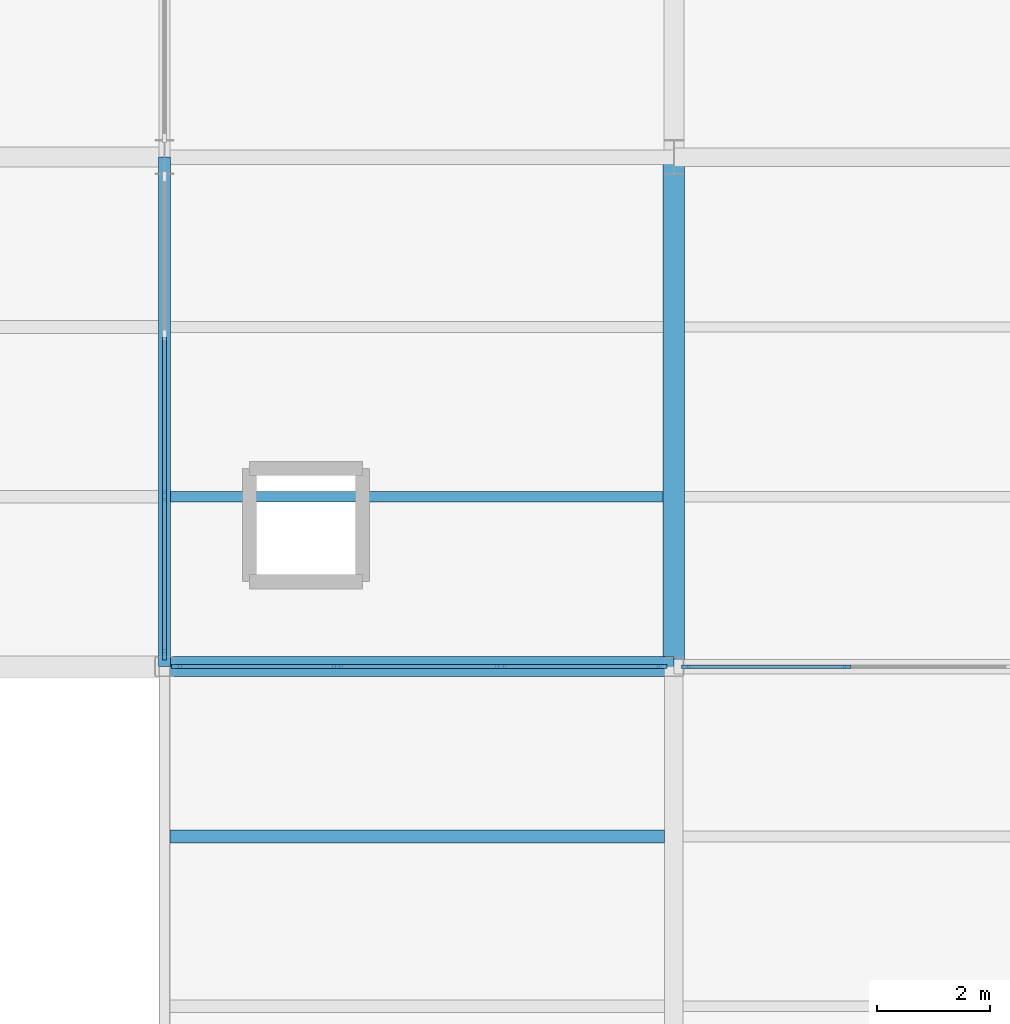
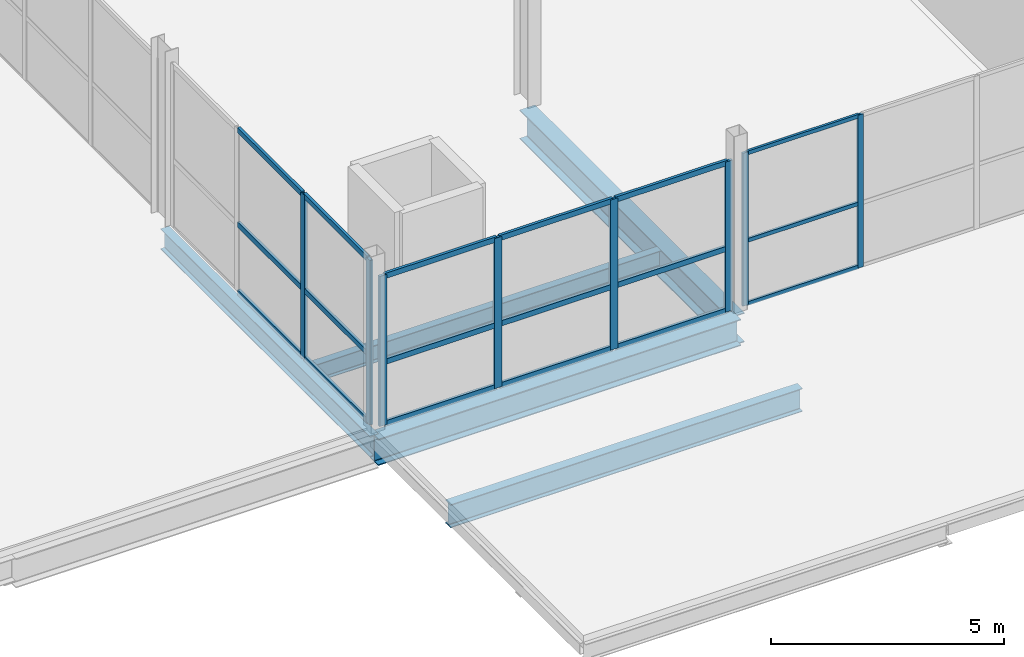
# One storey, part 14 of 69: 26 members, 5 beams, 3 elements without a shape of their own.
"""IFC4 building model written with IfcOpenShell, lengths in metres."""

from ifc_helpers import new_model, si_unit, direction, frame, origin, origin_2d, place, context, subcontext, project, spatial, rectangle, i_section, extrude, material, layer, layer_set, material_profile, profile_set, type_object, element, aggregate, save


model = new_model("IFC4")

# Units and contexts
model_context = context("Model", 3, precision=1e-05, world=origin(), true_north=direction((0.0, 1.0)))
body_context = subcontext(model_context, "Body", "Model", "MODEL_VIEW")
ifc_project = project(units=[si_unit("LENGTHUNIT", "METRE"), si_unit("AREAUNIT", "SQUARE_METRE"), si_unit("VOLUMEUNIT", "CUBIC_METRE"), si_unit("PLANEANGLEUNIT", "RADIAN"), si_unit("MASSUNIT", "GRAM", prefix="KILO")], contexts=[model_context])

# Site, building, storey
site_placement = place(None, origin())
site = spatial("IfcSite", under=ifc_project, at=site_placement, CompositionType="ELEMENT")
building_placement = place(site_placement, origin())
building = spatial("IfcBuilding", under=site, at=building_placement, Name="Qamarlyn Nura Convention Centre", CompositionType="ELEMENT")
storey_placement = place(building_placement, frame((0.0, 0.0, 15.60009765625)))
storey = spatial("IfcBuildingStorey", under=building, at=storey_placement, Name="L03", CompositionType="ELEMENT", Elevation=15.60009765625)

# Beams
ifc_material_1 = material(Name="Steel ASTM A992", Category="steel")
ifc_material_profile_1 = material_profile(ifc_material_1, i_section(OverallWidth=0.35498046875, OverallDepth=0.695068359375, WebThickness=0.015380859375, FlangeThickness=0.02490234375, FilletRadius=0.01806640625, at=origin_2d()), Name="W690X217")
ifc_profile_set_1 = profile_set([ifc_material_profile_1], Name="Steel ASTM A992")
beam_type_1 = type_object("IfcBeamType", Name="BM-GIRD-690A", PredefinedType="BEAM", material=ifc_profile_set_1)
beam_1_placement = place(storey_placement, frame((135.0, 27.0, -0.547607421875), z_axis=(1.0, 0.0, 0.0), x_axis=(0.0, 1.0, 0.0)))
element("IfcBeam", 1, at=beam_1_placement, inside=storey, type_object=beam_type_1, Name="L03 girder D 11-12", PredefinedType="BEAM", context=body_context, shape_type="SweptSolid", body=[
    extrude(i_section(OverallWidth=0.35498046875, OverallDepth=0.695068359375, WebThickness=0.015380859375, FlangeThickness=0.02490234375, FilletRadius=0.01806640625, at=origin_2d()), origin(), (0.0, 0.0, 1.0), 9.0),
])
ifc_material_profile_2 = material_profile(ifc_material_1, i_section(OverallWidth=0.381103515625, OverallDepth=0.77294921875, WebThickness=0.0166015625, FlangeThickness=0.027587890625, FilletRadius=0.02001953125, at=origin_2d()), Name="W760X257")
ifc_profile_set_2 = profile_set([ifc_material_profile_2], Name="Steel ASTM A992")
beam_type_2 = type_object("IfcBeamType", Name="BM-GIRD-760", PredefinedType="BEAM", material=ifc_profile_set_2)
beam_2_placement = place(storey_placement, frame((144.0, 27.0, -0.586669921875), z_axis=(0.0, 1.0, 0.0), x_axis=(-1.0, 0.0, 0.0)))
element("IfcBeam", 2, at=beam_2_placement, inside=storey, type_object=beam_type_2, Name="L03 girder 12 D-E", PredefinedType="BEAM", context=body_context, shape_type="SweptSolid", body=[
    extrude(i_section(OverallWidth=0.381103515625, OverallDepth=0.77294921875, WebThickness=0.0166015625, FlangeThickness=0.027587890625, FilletRadius=0.02001953125, at=origin_2d()), origin(), (0.0, 0.0, 1.0), 9.0),
])
ifc_material_profile_3 = material_profile(ifc_material_1, i_section(OverallWidth=0.18994140625, OverallDepth=0.45703125, WebThickness=0.009033203125, FlangeThickness=0.014404296875, FilletRadius=0.012939453125, at=origin_2d()), Name="W460X74")
ifc_profile_set_3 = profile_set([ifc_material_profile_3], Name="Steel ASTM A992")
beam_type_3 = type_object("IfcBeamType", Name="BM-JOIST-460", PredefinedType="JOIST", material=ifc_profile_set_3)
beam_3_placement = place(storey_placement, frame((135.10546875, 30.0, -0.4287109375), z_axis=(1.0, 0.0, 0.0), x_axis=(0.0, 1.0, 0.0)))
element("IfcBeam", 3, at=beam_3_placement, inside=storey, type_object=beam_type_3, Name="L03 composite joist 11-12/D+1", PredefinedType="JOIST", context=body_context, shape_type="SweptSolid", body=[
    extrude(i_section(OverallWidth=0.18994140625, OverallDepth=0.45703125, WebThickness=0.009033203125, FlangeThickness=0.014404296875, FilletRadius=0.012939453125, at=origin_2d()), origin(), (0.0, 0.0, 1.0), 8.7041015625),
])
ifc_material_profile_4 = material_profile(ifc_material_1, i_section(OverallWidth=0.22802734375, OverallDepth=0.60791015625, WebThickness=0.01123046875, FlangeThickness=0.017333984375, FilletRadius=0.01611328125, at=origin_2d()), Name="W610X113")
ifc_profile_set_4 = profile_set([ifc_material_profile_4], Name="Steel ASTM A992")
beam_type_4 = type_object("IfcBeamType", Name="BM-JOIST-610", PredefinedType="JOIST", material=ifc_profile_set_4)
beam_4_placement = place(storey_placement, frame((135.10009765625, 24.0, -0.47900390625), z_axis=(1.0, 0.0, 0.0), x_axis=(0.0, 1.0, 0.0)))
element("IfcBeam", 4, at=beam_4_placement, inside=storey, type_object=beam_type_4, Name="L03 composite joist 11-12/C+2", PredefinedType="JOIST", context=body_context, shape_type="SweptSolid", body=[
    extrude(i_section(OverallWidth=0.22802734375, OverallDepth=0.60791015625, WebThickness=0.01123046875, FlangeThickness=0.017333984375, FilletRadius=0.01611328125, at=origin_2d()), origin(), (0.0, 0.0, 1.0), 8.73779296875),
])
ifc_material_profile_5 = material_profile(ifc_material_1, i_section(OverallWidth=0.2109375, OverallDepth=0.5390625, WebThickness=0.01171875, FlangeThickness=0.018798828125, FilletRadius=0.013916015625, at=origin_2d()), Name="W530X109")
ifc_profile_set_5 = profile_set([ifc_material_profile_5], Name="Steel ASTM A992")
beam_type_5 = type_object("IfcBeamType", Name="BM-SPAN-530", PredefinedType="SPANDREL", material=ifc_profile_set_5)
beam_5_placement = place(storey_placement, frame((135.0, 27.0, -0.469482421875), z_axis=(0.0, 1.0, 0.0), x_axis=(-1.0, 0.0, 0.0)))
element("IfcBeam", 5, at=beam_5_placement, inside=storey, type_object=beam_type_5, Name="L03 girder 11 D-E", PredefinedType="SPANDREL", context=body_context, shape_type="SweptSolid", body=[
    extrude(i_section(OverallWidth=0.2109375, OverallDepth=0.5390625, WebThickness=0.01171875, FlangeThickness=0.018798828125, FilletRadius=0.013916015625, at=origin_2d()), origin(), (0.0, 0.0, 1.0), 9.0),
])

# Curtain wall, members
ifc_material_2 = material(Name="Double-silver low-E insulated glass", Category="glass")
ifc_layer_1 = layer(ifc_material_2, 0.179931640625, Name="CW-UNIT-126")
ifc_layer_set_1 = layer_set([ifc_layer_1], Name="Double-silver low-E insulated glass")
curtain_wall_type_1 = type_object("IfcCurtainWallType", Name="CW-UNIT-126", PredefinedType="NOTDEFINED", material=ifc_layer_set_1)
curtain_wall_1_placement = place(storey_placement, origin())
curtain_wall_1 = element("IfcCurtainWall", 6, at=curtain_wall_1_placement, inside=storey, type_object=curtain_wall_type_1, Name="L03 unitised curtain wall WSS-L03-1", PredefinedType="NOTDEFINED")
ifc_material_3 = material(Name="Champagne-anodised marine aluminium", Category="aluminium")
ifc_material_profile_6 = material_profile(ifc_material_3, rectangle(XDim=0.06005859375, YDim=0.139892578125, at=origin_2d()), Name="ALU MULLION 60x140")
ifc_profile_set_6 = profile_set([ifc_material_profile_6], Name="Champagne-anodised marine aluminium")
member_type_1 = type_object("IfcMemberType", Name="CWM-140", PredefinedType="MULLION", material=ifc_profile_set_6)
member_1_placement = place(storey_placement, frame((147.0576171875, 27.0, 0.0), z_axis=(0.0, 0.0, 1.0), x_axis=(0.0, -1.0, 0.0)))
member_1 = element("IfcMember", 7, at=member_1_placement, type_object=member_type_1, Name="CW126 mullion 3", PredefinedType="MULLION", context=body_context, shape_type="SweptSolid", body=[
    extrude(rectangle(XDim=0.06005859375, YDim=0.139892578125, at=origin_2d()), origin(), (0.0, 0.0, 1.0), 4.013916015625),
])
member_2_placement = place(storey_placement, frame((144.205078125, 27.0, 0.0), z_axis=(0.0, 0.0, 1.0), x_axis=(0.0, -1.0, 0.0)))
member_2 = element("IfcMember", 8, at=member_2_placement, type_object=member_type_1, Name="CW126 mullion 4", PredefinedType="MULLION", context=body_context, shape_type="SweptSolid", body=[
    extrude(rectangle(XDim=0.06005859375, YDim=0.139892578125, at=origin_2d()), origin(), (0.0, 0.0, 1.0), 4.013916015625),
])

ifc_layer_2 = layer(ifc_material_2, 0.179931640625, Name="CW-UNIT-124")
ifc_layer_set_2 = layer_set([ifc_layer_2], Name="Double-silver low-E insulated glass")
curtain_wall_type_2 = type_object("IfcCurtainWallType", Name="CW-UNIT-124", PredefinedType="NOTDEFINED", material=ifc_layer_set_2)
curtain_wall_2_placement = place(storey_placement, origin())
curtain_wall_2 = element("IfcCurtainWall", 9, at=curtain_wall_2_placement, inside=storey, type_object=curtain_wall_type_2, Name="L03 unitised curtain wall WS-27-1", PredefinedType="NOTDEFINED")
ifc_material_profile_7 = material_profile(ifc_material_3, rectangle(XDim=0.070068359375, YDim=0.179931640625, at=origin_2d()), Name="ALU MULLION 70x180")
ifc_profile_set_7 = profile_set([ifc_material_profile_7], Name="Champagne-anodised marine aluminium")
member_type_2 = type_object("IfcMemberType", Name="CWM-180", PredefinedType="MULLION", material=ifc_profile_set_7)
member_3_placement = place(storey_placement, frame((135.0, 27.2099609375, 0.0), z_axis=(0.0, 0.0, 1.0), x_axis=(-1.0, 0.0, 0.0)))
member_3 = element("IfcMember", 10, at=member_3_placement, type_object=member_type_2, Name="CW124 mullion 1", PredefinedType="MULLION", context=body_context, shape_type="SweptSolid", body=[
    extrude(rectangle(XDim=0.070068359375, YDim=0.179931640625, at=origin_2d()), origin(), (0.0, 0.0, 1.0), 4.324951171875),
])
member_4_placement = place(storey_placement, frame((135.0, 30.014892578125, 0.0), z_axis=(0.0, 0.0, 1.0), x_axis=(-1.0, 0.0, 0.0)))
member_4 = element("IfcMember", 11, at=member_4_placement, type_object=member_type_2, Name="CW124 mullion 2", PredefinedType="MULLION", context=body_context, shape_type="SweptSolid", body=[
    extrude(rectangle(XDim=0.070068359375, YDim=0.179931640625, at=origin_2d()), origin(), (0.0, 0.0, 1.0), 4.324951171875),
])

ifc_layer_3 = layer(ifc_material_2, 0.179931640625, Name="CW-UNIT-127")
ifc_layer_set_3 = layer_set([ifc_layer_3], Name="Double-silver low-E insulated glass")
curtain_wall_type_3 = type_object("IfcCurtainWallType", Name="CW-UNIT-127", PredefinedType="NOTDEFINED", material=ifc_layer_set_3)
curtain_wall_3_placement = place(storey_placement, origin())
curtain_wall_3 = element("IfcCurtainWall", 12, at=curtain_wall_3_placement, inside=storey, type_object=curtain_wall_type_3, Name="L03 unitised curtain wall WSS-L03-2", PredefinedType="NOTDEFINED")
member_5_placement = place(storey_placement, frame((143.7900390625, 27.0, 0.0), z_axis=(0.0, 0.0, 1.0), x_axis=(0.0, -1.0, 0.0)))
member_5 = element("IfcMember", 13, at=member_5_placement, type_object=member_type_2, Name="CW127 mullion 1", PredefinedType="MULLION", context=body_context, shape_type="SweptSolid", body=[
    extrude(rectangle(XDim=0.070068359375, YDim=0.179931640625, at=origin_2d()), origin(), (0.0, 0.0, 1.0), 3.94091796875),
])
member_6_placement = place(storey_placement, frame((140.941650390625, 27.0, 0.0), z_axis=(0.0, 0.0, 1.0), x_axis=(0.0, -1.0, 0.0)))
member_6 = element("IfcMember", 14, at=member_6_placement, type_object=member_type_2, Name="CW127 mullion 2", PredefinedType="MULLION", context=body_context, shape_type="SweptSolid", body=[
    extrude(rectangle(XDim=0.070068359375, YDim=0.179931640625, at=origin_2d()), origin(), (0.0, 0.0, 1.0), 3.94091796875),
])
member_7_placement = place(storey_placement, frame((138.058349609375, 27.0, 0.0), z_axis=(0.0, 0.0, 1.0), x_axis=(0.0, -1.0, 0.0)))
member_7 = element("IfcMember", 15, at=member_7_placement, type_object=member_type_2, Name="CW127 mullion 3", PredefinedType="MULLION", context=body_context, shape_type="SweptSolid", body=[
    extrude(rectangle(XDim=0.070068359375, YDim=0.179931640625, at=origin_2d()), origin(), (0.0, 0.0, 1.0), 3.94091796875),
])
member_8_placement = place(storey_placement, frame((135.2099609375, 27.0, 0.0), z_axis=(0.0, 0.0, 1.0), x_axis=(0.0, -1.0, 0.0)))
member_8 = element("IfcMember", 16, at=member_8_placement, type_object=member_type_2, Name="CW127 mullion 4", PredefinedType="MULLION", context=body_context, shape_type="SweptSolid", body=[
    extrude(rectangle(XDim=0.070068359375, YDim=0.179931640625, at=origin_2d()), origin(), (0.0, 0.0, 1.0), 3.94091796875),
])

# Member
ifc_material_profile_8 = material_profile(ifc_material_3, rectangle(XDim=0.06005859375, YDim=0.10009765625, at=origin_2d()), Name="ALU TRANSOM 60x100")
ifc_profile_set_8 = profile_set([ifc_material_profile_8], Name="Champagne-anodised marine aluminium")
member_type_3 = type_object("IfcMemberType", Name="CWT-100", PredefinedType="USERDEFINED", material=ifc_profile_set_8)
member_9_placement = place(storey_placement, frame((147.027587890625, 27.0, 0.02978515625), z_axis=(-1.0, 0.0, 0.0), x_axis=(0.0, -1.0, 0.0)))
member_9 = element("IfcMember", 17, at=member_9_placement, type_object=member_type_3, Name="CW126 transom 3.1", ObjectType="TRANSOM", PredefinedType="USERDEFINED", context=body_context, shape_type="SweptSolid", body=[
    extrude(rectangle(XDim=0.06005859375, YDim=0.10009765625, at=origin_2d()), origin(), (0.0, 0.0, 1.0), 2.79248046875),
])

member_10_placement = place(storey_placement, frame((147.027587890625, 27.0, 1.685791015625), z_axis=(-1.0, 0.0, 0.0), x_axis=(0.0, -1.0, 0.0)))
member_10 = element("IfcMember", 18, at=member_10_placement, type_object=member_type_3, Name="CW126 transom 3.2", ObjectType="TRANSOM", PredefinedType="USERDEFINED", context=body_context, shape_type="SweptSolid", body=[
    extrude(rectangle(XDim=0.06005859375, YDim=0.10009765625, at=origin_2d()), origin(), (0.0, 0.0, 1.0), 2.79248046875),
])

member_11_placement = place(storey_placement, frame((147.027587890625, 27.0, 3.98388671875), z_axis=(-1.0, 0.0, 0.0), x_axis=(0.0, -1.0, 0.0)))
member_11 = element("IfcMember", 19, at=member_11_placement, type_object=member_type_3, Name="CW126 transom 3.3", ObjectType="TRANSOM", PredefinedType="USERDEFINED", context=body_context, shape_type="SweptSolid", body=[
    extrude(rectangle(XDim=0.06005859375, YDim=0.10009765625, at=origin_2d()), origin(), (0.0, 0.0, 1.0), 2.79248046875),
])

aggregate(curtain_wall_1, [member_1, member_2, member_9, member_10, member_11])

ifc_material_profile_9 = material_profile(ifc_material_3, rectangle(XDim=0.070068359375, YDim=0.139892578125, at=origin_2d()), Name="ALU TRANSOM 70x140")
ifc_profile_set_9 = profile_set([ifc_material_profile_9], Name="Champagne-anodised marine aluminium")
member_type_4 = type_object("IfcMemberType", Name="CWT-140", PredefinedType="USERDEFINED", material=ifc_profile_set_9)
member_12_placement = place(storey_placement, frame((135.0, 27.2451171875, 0.034912109375), z_axis=(0.0, 1.0, 0.0), x_axis=(-1.0, 0.0, 0.0)))
member_12 = element("IfcMember", 20, at=member_12_placement, type_object=member_type_4, Name="CW124 transom 1.1", ObjectType="TRANSOM", PredefinedType="USERDEFINED", context=body_context, shape_type="SweptSolid", body=[
    extrude(rectangle(XDim=0.070068359375, YDim=0.139892578125, at=origin_2d()), origin(), (0.0, 0.0, 1.0), 2.734619140625),
])

member_13_placement = place(storey_placement, frame((135.0, 27.2451171875, 1.81591796875), z_axis=(0.0, 1.0, 0.0), x_axis=(-1.0, 0.0, 0.0)))
member_13 = element("IfcMember", 21, at=member_13_placement, type_object=member_type_4, Name="CW124 transom 1.2", ObjectType="TRANSOM", PredefinedType="USERDEFINED", context=body_context, shape_type="SweptSolid", body=[
    extrude(rectangle(XDim=0.070068359375, YDim=0.139892578125, at=origin_2d()), origin(), (0.0, 0.0, 1.0), 2.734619140625),
])

member_14_placement = place(storey_placement, frame((135.0, 27.2451171875, 4.289794921875), z_axis=(0.0, 1.0, 0.0), x_axis=(-1.0, 0.0, 0.0)))
member_14 = element("IfcMember", 22, at=member_14_placement, type_object=member_type_4, Name="CW124 transom 1.3", ObjectType="TRANSOM", PredefinedType="USERDEFINED", context=body_context, shape_type="SweptSolid", body=[
    extrude(rectangle(XDim=0.070068359375, YDim=0.139892578125, at=origin_2d()), origin(), (0.0, 0.0, 1.0), 2.734619140625),
])

member_15_placement = place(storey_placement, frame((135.0, 30.0498046875, 0.034912109375), z_axis=(0.0, 1.0, 0.0), x_axis=(-1.0, 0.0, 0.0)))
member_15 = element("IfcMember", 23, at=member_15_placement, type_object=member_type_4, Name="CW124 transom 2.1", ObjectType="TRANSOM", PredefinedType="USERDEFINED", context=body_context, shape_type="SweptSolid", body=[
    extrude(rectangle(XDim=0.070068359375, YDim=0.139892578125, at=origin_2d()), origin(), (0.0, 0.0, 1.0), 2.769775390625),
])

member_16_placement = place(storey_placement, frame((135.0, 30.0498046875, 1.81591796875), z_axis=(0.0, 1.0, 0.0), x_axis=(-1.0, 0.0, 0.0)))
member_16 = element("IfcMember", 24, at=member_16_placement, type_object=member_type_4, Name="CW124 transom 2.2", ObjectType="TRANSOM", PredefinedType="USERDEFINED", context=body_context, shape_type="SweptSolid", body=[
    extrude(rectangle(XDim=0.070068359375, YDim=0.139892578125, at=origin_2d()), origin(), (0.0, 0.0, 1.0), 2.769775390625),
])

member_17_placement = place(storey_placement, frame((135.0, 30.0498046875, 4.289794921875), z_axis=(0.0, 1.0, 0.0), x_axis=(-1.0, 0.0, 0.0)))
member_17 = element("IfcMember", 25, at=member_17_placement, type_object=member_type_4, Name="CW124 transom 2.3", ObjectType="TRANSOM", PredefinedType="USERDEFINED", context=body_context, shape_type="SweptSolid", body=[
    extrude(rectangle(XDim=0.070068359375, YDim=0.139892578125, at=origin_2d()), origin(), (0.0, 0.0, 1.0), 2.769775390625),
])

aggregate(curtain_wall_2, [member_3, member_4, member_12, member_13, member_14, member_15, member_16, member_17])

member_18_placement = place(storey_placement, frame((143.7548828125, 27.0, 0.034912109375), z_axis=(-1.0, 0.0, 0.0), x_axis=(0.0, -1.0, 0.0)))
member_18 = element("IfcMember", 26, at=member_18_placement, type_object=member_type_4, Name="CW127 transom 1.1", ObjectType="TRANSOM", PredefinedType="USERDEFINED", context=body_context, shape_type="SweptSolid", body=[
    extrude(rectangle(XDim=0.070068359375, YDim=0.139892578125, at=origin_2d()), origin(), (0.0, 0.0, 1.0), 2.7783203125),
])

member_19_placement = place(storey_placement, frame((143.7548828125, 27.0, 1.65478515625), z_axis=(-1.0, 0.0, 0.0), x_axis=(0.0, -1.0, 0.0)))
member_19 = element("IfcMember", 27, at=member_19_placement, type_object=member_type_4, Name="CW127 transom 1.2", ObjectType="TRANSOM", PredefinedType="USERDEFINED", context=body_context, shape_type="SweptSolid", body=[
    extrude(rectangle(XDim=0.070068359375, YDim=0.139892578125, at=origin_2d()), origin(), (0.0, 0.0, 1.0), 2.7783203125),
])

member_20_placement = place(storey_placement, frame((143.7548828125, 27.0, 3.906005859375), z_axis=(-1.0, 0.0, 0.0), x_axis=(0.0, -1.0, 0.0)))
member_20 = element("IfcMember", 28, at=member_20_placement, type_object=member_type_4, Name="CW127 transom 1.3", ObjectType="TRANSOM", PredefinedType="USERDEFINED", context=body_context, shape_type="SweptSolid", body=[
    extrude(rectangle(XDim=0.070068359375, YDim=0.139892578125, at=origin_2d()), origin(), (0.0, 0.0, 1.0), 2.7783203125),
])

member_21_placement = place(storey_placement, frame((140.90673828125, 27.0, 0.034912109375), z_axis=(-1.0, 0.0, 0.0), x_axis=(0.0, -1.0, 0.0)))
member_21 = element("IfcMember", 29, at=member_21_placement, type_object=member_type_4, Name="CW127 transom 2.1", ObjectType="TRANSOM", PredefinedType="USERDEFINED", context=body_context, shape_type="SweptSolid", body=[
    extrude(rectangle(XDim=0.070068359375, YDim=0.139892578125, at=origin_2d()), origin(), (0.0, 0.0, 1.0), 2.8134765625),
])

member_22_placement = place(storey_placement, frame((140.90673828125, 27.0, 1.65478515625), z_axis=(-1.0, 0.0, 0.0), x_axis=(0.0, -1.0, 0.0)))
member_22 = element("IfcMember", 30, at=member_22_placement, type_object=member_type_4, Name="CW127 transom 2.2", ObjectType="TRANSOM", PredefinedType="USERDEFINED", context=body_context, shape_type="SweptSolid", body=[
    extrude(rectangle(XDim=0.070068359375, YDim=0.139892578125, at=origin_2d()), origin(), (0.0, 0.0, 1.0), 2.8134765625),
])

member_23_placement = place(storey_placement, frame((140.90673828125, 27.0, 3.906005859375), z_axis=(-1.0, 0.0, 0.0), x_axis=(0.0, -1.0, 0.0)))
member_23 = element("IfcMember", 31, at=member_23_placement, type_object=member_type_4, Name="CW127 transom 2.3", ObjectType="TRANSOM", PredefinedType="USERDEFINED", context=body_context, shape_type="SweptSolid", body=[
    extrude(rectangle(XDim=0.070068359375, YDim=0.139892578125, at=origin_2d()), origin(), (0.0, 0.0, 1.0), 2.8134765625),
])

member_24_placement = place(storey_placement, frame((138.0234375, 27.0, 0.034912109375), z_axis=(-1.0, 0.0, 0.0), x_axis=(0.0, -1.0, 0.0)))
member_24 = element("IfcMember", 32, at=member_24_placement, type_object=member_type_4, Name="CW127 transom 3.1", ObjectType="TRANSOM", PredefinedType="USERDEFINED", context=body_context, shape_type="SweptSolid", body=[
    extrude(rectangle(XDim=0.070068359375, YDim=0.139892578125, at=origin_2d()), origin(), (0.0, 0.0, 1.0), 2.7783203125),
])

member_25_placement = place(storey_placement, frame((138.0234375, 27.0, 1.65478515625), z_axis=(-1.0, 0.0, 0.0), x_axis=(0.0, -1.0, 0.0)))
member_25 = element("IfcMember", 33, at=member_25_placement, type_object=member_type_4, Name="CW127 transom 3.2", ObjectType="TRANSOM", PredefinedType="USERDEFINED", context=body_context, shape_type="SweptSolid", body=[
    extrude(rectangle(XDim=0.070068359375, YDim=0.139892578125, at=origin_2d()), origin(), (0.0, 0.0, 1.0), 2.7783203125),
])

member_26_placement = place(storey_placement, frame((138.0234375, 27.0, 3.906005859375), z_axis=(-1.0, 0.0, 0.0), x_axis=(0.0, -1.0, 0.0)))
member_26 = element("IfcMember", 34, at=member_26_placement, type_object=member_type_4, Name="CW127 transom 3.3", ObjectType="TRANSOM", PredefinedType="USERDEFINED", context=body_context, shape_type="SweptSolid", body=[
    extrude(rectangle(XDim=0.070068359375, YDim=0.139892578125, at=origin_2d()), origin(), (0.0, 0.0, 1.0), 2.7783203125),
])

aggregate(curtain_wall_3, [member_5, member_6, member_7, member_8, member_18, member_19, member_20, member_21, member_22, member_23, member_24, member_25, member_26])

save(model, "model.ifc")
